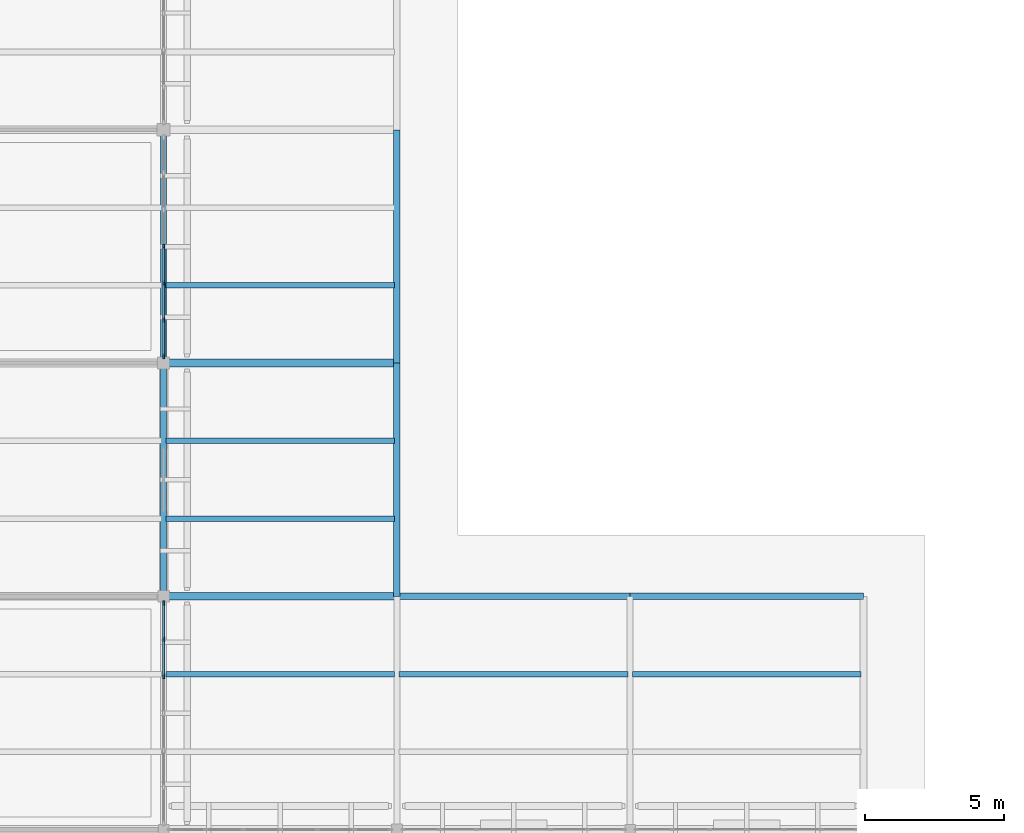
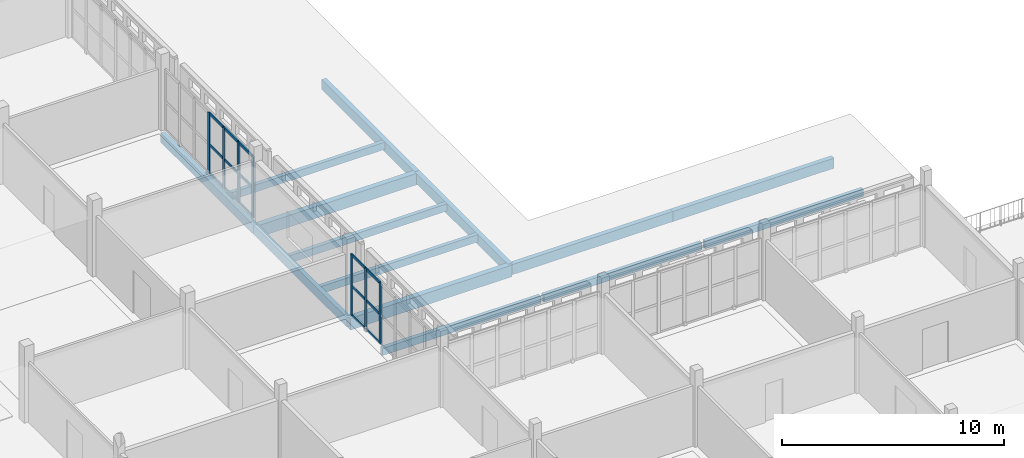
# One storey, part 29 of 166: 22 members, 14 beams, 2 elements without a shape of their own.
"""IFC4 building model written with IfcOpenShell, lengths in metres."""

from ifc_helpers import new_model, si_unit, direction, frame, origin, origin_2d, place, context, subcontext, project, spatial, rectangle, extrude, material, layer, layer_set, material_profile, profile_set, type_object, element, aggregate, save


model = new_model("IFC4")

# Units and contexts
model_context = context("Model", 3, precision=1e-05, world=origin(), true_north=direction((0.0, 1.0)))
body_context = subcontext(model_context, "Body", "Model", "MODEL_VIEW")
ifc_project = project(units=[si_unit("LENGTHUNIT", "METRE"), si_unit("AREAUNIT", "SQUARE_METRE"), si_unit("VOLUMEUNIT", "CUBIC_METRE"), si_unit("PLANEANGLEUNIT", "RADIAN"), si_unit("MASSUNIT", "GRAM", prefix="KILO")], contexts=[model_context])

# Site, building, storey
site_placement = place(None, origin())
site = spatial("IfcSite", under=ifc_project, at=site_placement, CompositionType="ELEMENT")
building_placement = place(site_placement, origin())
building = spatial("IfcBuilding", under=site, at=building_placement, Name="Varnapada Polytechnic", CompositionType="ELEMENT")
storey_placement = place(building_placement, frame((0.0, 0.0, 9.60009765625)))
storey = spatial("IfcBuildingStorey", under=building, at=storey_placement, Name="L02", CompositionType="ELEMENT", Elevation=9.60009765625)

# Beams
ifc_material_1 = material(Name="Glulam GL32h", Category="wood")
ifc_material_profile_1 = material_profile(ifc_material_1, rectangle(XDim=0.280029296875, YDim=0.639892578125, at=origin_2d()), Name="GL 280x640")
ifc_profile_set_1 = profile_set([ifc_material_profile_1], Name="Glulam GL32h")
beam_type_1 = type_object("IfcBeamType", Name="Laboratory primary glulam girder GG-02 (GL 280x640)", PredefinedType="BEAM", material=ifc_profile_set_1)
for number, where, z_axis, x_axis, name in (
    (1, (33.60009765625, 50.39990234375, -0.590087890625), (1.0, 0.0, 0.0), (0.0, 1.0, 0.0), "L02 beam X 5-6 at Y7"),
    (2, (33.60009765625, 58.800048828125, -0.590087890625), (1.0, 0.0, 0.0), (0.0, 1.0, 0.0), "L02 beam X 5-6 at Y8"),
):
    element("IfcBeam", number, at=place(storey_placement, frame(where, z_axis=z_axis, x_axis=x_axis)), inside=storey, type_object=beam_type_1, Name=name, PredefinedType="BEAM", context=body_context, shape_type="SweptSolid", body=[
        extrude(rectangle(XDim=0.280029296875, YDim=0.639892578125, at=origin_2d()), origin(), (0.0, 0.0, 1.0), 8.39990234375),
    ])
ifc_material_profile_2 = material_profile(ifc_material_1, rectangle(XDim=0.219970703125, YDim=0.52001953125, at=origin_2d()), Name="GL 220x520")
ifc_profile_set_2 = profile_set([ifc_material_profile_2], Name="Glulam GL32h")
beam_type_2 = type_object("IfcBeamType", Name="Laboratory transverse glulam beam GB-12 (GL 220x520)", PredefinedType="BEAM", material=ifc_profile_set_2)
beam_1_placement = place(storey_placement, frame((33.60009765625, 50.39990234375, -0.530029296875), z_axis=(0.0, 1.0, 0.0), x_axis=(-1.0, 0.0, 0.0)))
element("IfcBeam", 3, at=beam_1_placement, inside=storey, type_object=beam_type_2, Name="L02 beam Y 7-8 at X5", PredefinedType="BEAM", context=body_context, shape_type="SweptSolid", body=[
    extrude(rectangle(XDim=0.219970703125, YDim=0.52001953125, at=origin_2d()), origin(), (0.0, 0.0, 1.0), 8.400146484375),
])
beam_2_placement = place(storey_placement, frame((33.60009765625, 58.800048828125, -0.530029296875), z_axis=(0.0, 1.0, 0.0), x_axis=(-1.0, 0.0, 0.0)))
element("IfcBeam", 4, at=beam_2_placement, inside=storey, type_object=beam_type_2, Name="L02 beam Y 8-9 at X5", PredefinedType="BEAM", context=body_context, shape_type="SweptSolid", body=[
    extrude(rectangle(XDim=0.219970703125, YDim=0.52001953125, at=origin_2d()), origin(), (0.0, 0.0, 1.0), 8.39990234375),
])
ifc_material_profile_3 = material_profile(ifc_material_1, rectangle(XDim=0.199951171875, YDim=0.39990234375, at=origin_2d()), Name="GL 200x400")
ifc_profile_set_3 = profile_set([ifc_material_profile_3], Name="Glulam GL32h")
beam_type_3 = type_object("IfcBeamType", Name="Library/laboratory glulam floor joist GJ-01 (GL 200x400)", PredefinedType="JOIST", material=ifc_profile_set_3)
for number, where, z_axis, x_axis, name in (
    (5, (33.679931640625, 47.60009765625, -0.47021484375), (1.0, 0.0, 0.0), (0.0, 1.0, 0.0), "L02 floor joist 5/6.2"),
    (6, (33.679931640625, 53.199951171875, -0.47021484375), (1.0, 0.0, 0.0), (0.0, 1.0, 0.0), "L02 floor joist 5/7.1"),
    (7, (33.679931640625, 56.0, -0.47021484375), (1.0, 0.0, 0.0), (0.0, 1.0, 0.0), "L02 floor joist 5/7.2"),
    (8, (33.679931640625, 61.60009765625, -0.47021484375), (1.0, 0.0, 0.0), (0.0, 1.0, 0.0), "L02 floor joist 5/8.1"),
    (9, (42.080078125, 47.60009765625, -0.47021484375), (1.0, 0.0, 0.0), (0.0, 1.0, 0.0), "L02 floor joist 6/6.2"),
    (10, (50.47998046875, 47.60009765625, -0.47021484375), (1.0, 0.0, 0.0), (0.0, 1.0, 0.0), "L02 floor joist 7/6.2"),
):
    element("IfcBeam", number, at=place(storey_placement, frame(where, z_axis=z_axis, x_axis=x_axis)), inside=storey, type_object=beam_type_3, Name=name, PredefinedType="JOIST", context=body_context, shape_type="SweptSolid", body=[
        extrude(rectangle(XDim=0.199951171875, YDim=0.39990234375, at=origin_2d()), origin(), (0.0, 0.0, 1.0), 8.239990234375),
    ])

# Curtain wall, members
ifc_material_2 = material(Name="Double low-E laminated glass", Category="glass")
ifc_layer = layer(ifc_material_2, 0.179931640625)
ifc_layer_set = layer_set([ifc_layer], Name="Double low-E laminated glass")
curtain_wall_type = type_object("IfcCurtainWallType", Name="Curtain Wall CW-03", PredefinedType="NOTDEFINED", material=ifc_layer_set)
curtain_wall_1_placement = place(storey_placement, origin())
curtain_wall_1 = element("IfcCurtainWall", 11, at=curtain_wall_1_placement, inside=storey, type_object=curtain_wall_type, Name="L02 unitised curtain wall CW-03 (143)", PredefinedType="NOTDEFINED")
ifc_material_3 = material(Name="Anodised aluminium", Category="aluminium")
ifc_material_profile_4 = material_profile(ifc_material_3, rectangle(XDim=0.06494140625, YDim=0.179931640625, at=origin_2d()), Name="ALU M65x180")
ifc_profile_set_4 = profile_set([ifc_material_profile_4], Name="Anodised aluminium")
member_type_1 = type_object("IfcMemberType", Name="Mullion M-02", PredefinedType="MULLION", material=ifc_profile_set_4)
member_1_placement = place(storey_placement, frame((33.60009765625, 50.157470703125, 0.0), z_axis=(0.0, 0.0, 1.0), x_axis=(1.0, 0.0, 0.0)))
member_1 = element("IfcMember", 12, at=member_1_placement, type_object=member_type_1, Name="CW-03 mullion 1", PredefinedType="MULLION", context=body_context, shape_type="SweptSolid", body=[
    extrude(rectangle(XDim=0.06494140625, YDim=0.179931640625, at=origin_2d()), origin(), (0.0, 0.0, 1.0), 3.35986328125),
])
member_2_placement = place(storey_placement, frame((33.60009765625, 48.856689453125, 0.0), z_axis=(0.0, 0.0, 1.0), x_axis=(1.0, 0.0, 0.0)))
member_2 = element("IfcMember", 13, at=member_2_placement, type_object=member_type_1, Name="CW-03 mullion 2", PredefinedType="MULLION", context=body_context, shape_type="SweptSolid", body=[
    extrude(rectangle(XDim=0.06494140625, YDim=0.179931640625, at=origin_2d()), origin(), (0.0, 0.0, 1.0), 3.35986328125),
])
member_3_placement = place(storey_placement, frame((33.60009765625, 47.5234375, 0.0), z_axis=(0.0, 0.0, 1.0), x_axis=(1.0, 0.0, 0.0)))
member_3 = element("IfcMember", 14, at=member_3_placement, type_object=member_type_1, Name="CW-03 mullion 3", PredefinedType="MULLION", context=body_context, shape_type="SweptSolid", body=[
    extrude(rectangle(XDim=0.06494140625, YDim=0.179931640625, at=origin_2d()), origin(), (0.0, 0.0, 1.0), 3.35986328125),
])

curtain_wall_2_placement = place(storey_placement, origin())
curtain_wall_2 = element("IfcCurtainWall", 15, at=curtain_wall_2_placement, inside=storey, type_object=curtain_wall_type, Name="L02 unitised curtain wall CW-03 (144)", PredefinedType="NOTDEFINED")
member_4_placement = place(storey_placement, frame((33.60009765625, 62.9951171875, 0.0), z_axis=(0.0, 0.0, 1.0), x_axis=(1.0, 0.0, 0.0)))
member_4 = element("IfcMember", 16, at=member_4_placement, type_object=member_type_1, Name="CW-03 mullion 4", PredefinedType="MULLION", context=body_context, shape_type="SweptSolid", body=[
    extrude(rectangle(XDim=0.06494140625, YDim=0.179931640625, at=origin_2d()), origin(), (0.0, 0.0, 1.0), 3.35986328125),
])
member_5_placement = place(storey_placement, frame((33.60009765625, 61.669921875, 0.0), z_axis=(0.0, 0.0, 1.0), x_axis=(1.0, 0.0, 0.0)))
member_5 = element("IfcMember", 17, at=member_5_placement, type_object=member_type_1, Name="CW-03 mullion 5", PredefinedType="MULLION", context=body_context, shape_type="SweptSolid", body=[
    extrude(rectangle(XDim=0.06494140625, YDim=0.179931640625, at=origin_2d()), origin(), (0.0, 0.0, 1.0), 3.35986328125),
])
member_6_placement = place(storey_placement, frame((33.60009765625, 60.344970703125, 0.0), z_axis=(0.0, 0.0, 1.0), x_axis=(1.0, 0.0, 0.0)))
member_6 = element("IfcMember", 18, at=member_6_placement, type_object=member_type_1, Name="CW-03 mullion 6", PredefinedType="MULLION", context=body_context, shape_type="SweptSolid", body=[
    extrude(rectangle(XDim=0.06494140625, YDim=0.179931640625, at=origin_2d()), origin(), (0.0, 0.0, 1.0), 3.35986328125),
])
member_7_placement = place(storey_placement, frame((33.60009765625, 59.052490234375, 0.0), z_axis=(0.0, 0.0, 1.0), x_axis=(1.0, 0.0, 0.0)))
member_7 = element("IfcMember", 19, at=member_7_placement, type_object=member_type_1, Name="CW-03 mullion 7", PredefinedType="MULLION", context=body_context, shape_type="SweptSolid", body=[
    extrude(rectangle(XDim=0.06494140625, YDim=0.179931640625, at=origin_2d()), origin(), (0.0, 0.0, 1.0), 3.35986328125),
])

# Beams
ifc_material_profile_5 = material_profile(ifc_material_1, rectangle(XDim=0.239990234375, YDim=0.56005859375, at=origin_2d()), Name="GL 240x560")
ifc_profile_set_5 = profile_set([ifc_material_profile_5], Name="Glulam GL32h")
beam_type_4 = type_object("IfcBeamType", Name="Perimeter glulam spandrel beam SP-02 (GL 240x560)", PredefinedType="SPANDREL", material=ifc_profile_set_5)
beam_3_placement = place(storey_placement, frame((42.0, 50.39990234375, -0.550048828125), z_axis=(1.0, 0.0, 0.0), x_axis=(0.0, 1.0, 0.0)))
element("IfcBeam", 20, at=beam_3_placement, inside=storey, type_object=beam_type_4, Name="L02 beam X 6-7 at Y7", PredefinedType="SPANDREL", context=body_context, shape_type="SweptSolid", body=[
    extrude(rectangle(XDim=0.239990234375, YDim=0.56005859375, at=origin_2d()), origin(), (0.0, 0.0, 1.0), 8.39990234375),
])
for number, where, z_axis, x_axis, name in (
    (21, (50.39990234375, 50.39990234375, -0.550048828125), (1.0, 0.0, 0.0), (0.0, 1.0, 0.0), "L02 beam X 7-8 at Y7"),
    (22, (42.0, 50.39990234375, -0.550048828125), (0.0, 1.0, 0.0), (-1.0, 0.0, 0.0), "L02 beam Y 7-8 at X6"),
):
    element("IfcBeam", number, at=place(storey_placement, frame(where, z_axis=z_axis, x_axis=x_axis)), inside=storey, type_object=beam_type_4, Name=name, PredefinedType="SPANDREL", context=body_context, shape_type="SweptSolid", body=[
        extrude(rectangle(XDim=0.239990234375, YDim=0.56005859375, at=origin_2d()), origin(), (0.0, 0.0, 1.0), 8.400146484375),
    ])
beam_4_placement = place(storey_placement, frame((42.0, 58.800048828125, -0.550048828125), z_axis=(0.0, 1.0, 0.0), x_axis=(-1.0, 0.0, 0.0)))
element("IfcBeam", 23, at=beam_4_placement, inside=storey, type_object=beam_type_4, Name="L02 beam Y 8-9 at X6", PredefinedType="SPANDREL", context=body_context, shape_type="SweptSolid", body=[
    extrude(rectangle(XDim=0.239990234375, YDim=0.56005859375, at=origin_2d()), origin(), (0.0, 0.0, 1.0), 8.39990234375),
])

# Member
ifc_material_profile_6 = material_profile(ifc_material_3, rectangle(XDim=0.06494140625, YDim=0.139892578125, at=origin_2d()), Name="ALU T65x140")
ifc_profile_set_6 = profile_set([ifc_material_profile_6], Name="Anodised aluminium")
member_type_2 = type_object("IfcMemberType", Name="Transom T-02", PredefinedType="USERDEFINED", material=ifc_profile_set_6)
member_8_placement = place(storey_placement, frame((33.60009765625, 50.125, 0.032470703125), z_axis=(0.0, -1.0, 0.0), x_axis=(1.0, 0.0, 0.0)))
member_8 = element("IfcMember", 24, at=member_8_placement, type_object=member_type_2, Name="CW-03 transom 1.1", ObjectType="TRANSOM", PredefinedType="USERDEFINED", context=body_context, shape_type="SweptSolid", body=[
    extrude(rectangle(XDim=0.06494140625, YDim=0.139892578125, at=origin_2d()), origin(), (0.0, 0.0, 1.0), 1.23583984375),
])

member_9_placement = place(storey_placement, frame((33.60009765625, 50.125, 1.61279296875), z_axis=(0.0, -1.0, 0.0), x_axis=(1.0, 0.0, 0.0)))
member_9 = element("IfcMember", 25, at=member_9_placement, type_object=member_type_2, Name="CW-03 transom 1.2", ObjectType="TRANSOM", PredefinedType="USERDEFINED", context=body_context, shape_type="SweptSolid", body=[
    extrude(rectangle(XDim=0.06494140625, YDim=0.139892578125, at=origin_2d()), origin(), (0.0, 0.0, 1.0), 1.23583984375),
])

member_10_placement = place(storey_placement, frame((33.60009765625, 50.125, 3.327392578125), z_axis=(0.0, -1.0, 0.0), x_axis=(1.0, 0.0, 0.0)))
member_10 = element("IfcMember", 26, at=member_10_placement, type_object=member_type_2, Name="CW-03 transom 1.3", ObjectType="TRANSOM", PredefinedType="USERDEFINED", context=body_context, shape_type="SweptSolid", body=[
    extrude(rectangle(XDim=0.06494140625, YDim=0.139892578125, at=origin_2d()), origin(), (0.0, 0.0, 1.0), 1.23583984375),
])

member_11_placement = place(storey_placement, frame((33.60009765625, 48.82421875, 0.032470703125), z_axis=(0.0, -1.0, 0.0), x_axis=(1.0, 0.0, 0.0)))
member_11 = element("IfcMember", 27, at=member_11_placement, type_object=member_type_2, Name="CW-03 transom 2.1", ObjectType="TRANSOM", PredefinedType="USERDEFINED", context=body_context, shape_type="SweptSolid", body=[
    extrude(rectangle(XDim=0.06494140625, YDim=0.139892578125, at=origin_2d()), origin(), (0.0, 0.0, 1.0), 1.268310546875),
])

member_12_placement = place(storey_placement, frame((33.60009765625, 48.82421875, 1.61279296875), z_axis=(0.0, -1.0, 0.0), x_axis=(1.0, 0.0, 0.0)))
member_12 = element("IfcMember", 28, at=member_12_placement, type_object=member_type_2, Name="CW-03 transom 2.2", ObjectType="TRANSOM", PredefinedType="USERDEFINED", context=body_context, shape_type="SweptSolid", body=[
    extrude(rectangle(XDim=0.06494140625, YDim=0.139892578125, at=origin_2d()), origin(), (0.0, 0.0, 1.0), 1.268310546875),
])

member_13_placement = place(storey_placement, frame((33.60009765625, 48.82421875, 3.327392578125), z_axis=(0.0, -1.0, 0.0), x_axis=(1.0, 0.0, 0.0)))
member_13 = element("IfcMember", 29, at=member_13_placement, type_object=member_type_2, Name="CW-03 transom 2.3", ObjectType="TRANSOM", PredefinedType="USERDEFINED", context=body_context, shape_type="SweptSolid", body=[
    extrude(rectangle(XDim=0.06494140625, YDim=0.139892578125, at=origin_2d()), origin(), (0.0, 0.0, 1.0), 1.268310546875),
])

aggregate(curtain_wall_1, [member_1, member_2, member_3, member_8, member_9, member_10, member_11, member_12, member_13])

member_14_placement = place(storey_placement, frame((33.60009765625, 62.96240234375, 0.032470703125), z_axis=(0.0, -1.0, 0.0), x_axis=(1.0, 0.0, 0.0)))
member_14 = element("IfcMember", 30, at=member_14_placement, type_object=member_type_2, Name="CW-03 transom 4.1", ObjectType="TRANSOM", PredefinedType="USERDEFINED", context=body_context, shape_type="SweptSolid", body=[
    extrude(rectangle(XDim=0.06494140625, YDim=0.139892578125, at=origin_2d()), origin(), (0.0, 0.0, 1.0), 1.260009765625),
])

member_15_placement = place(storey_placement, frame((33.60009765625, 62.96240234375, 1.61279296875), z_axis=(0.0, -1.0, 0.0), x_axis=(1.0, 0.0, 0.0)))
member_15 = element("IfcMember", 31, at=member_15_placement, type_object=member_type_2, Name="CW-03 transom 4.2", ObjectType="TRANSOM", PredefinedType="USERDEFINED", context=body_context, shape_type="SweptSolid", body=[
    extrude(rectangle(XDim=0.06494140625, YDim=0.139892578125, at=origin_2d()), origin(), (0.0, 0.0, 1.0), 1.260009765625),
])

member_16_placement = place(storey_placement, frame((33.60009765625, 62.96240234375, 3.327392578125), z_axis=(0.0, -1.0, 0.0), x_axis=(1.0, 0.0, 0.0)))
member_16 = element("IfcMember", 32, at=member_16_placement, type_object=member_type_2, Name="CW-03 transom 4.3", ObjectType="TRANSOM", PredefinedType="USERDEFINED", context=body_context, shape_type="SweptSolid", body=[
    extrude(rectangle(XDim=0.06494140625, YDim=0.139892578125, at=origin_2d()), origin(), (0.0, 0.0, 1.0), 1.260009765625),
])

member_17_placement = place(storey_placement, frame((33.60009765625, 61.637451171875, 0.032470703125), z_axis=(0.0, -1.0, 0.0), x_axis=(1.0, 0.0, 0.0)))
member_17 = element("IfcMember", 33, at=member_17_placement, type_object=member_type_2, Name="CW-03 transom 5.1", ObjectType="TRANSOM", PredefinedType="USERDEFINED", context=body_context, shape_type="SweptSolid", body=[
    extrude(rectangle(XDim=0.06494140625, YDim=0.139892578125, at=origin_2d()), origin(), (0.0, 0.0, 1.0), 1.260009765625),
])

member_18_placement = place(storey_placement, frame((33.60009765625, 61.637451171875, 1.61279296875), z_axis=(0.0, -1.0, 0.0), x_axis=(1.0, 0.0, 0.0)))
member_18 = element("IfcMember", 34, at=member_18_placement, type_object=member_type_2, Name="CW-03 transom 5.2", ObjectType="TRANSOM", PredefinedType="USERDEFINED", context=body_context, shape_type="SweptSolid", body=[
    extrude(rectangle(XDim=0.06494140625, YDim=0.139892578125, at=origin_2d()), origin(), (0.0, 0.0, 1.0), 1.260009765625),
])

member_19_placement = place(storey_placement, frame((33.60009765625, 61.637451171875, 3.327392578125), z_axis=(0.0, -1.0, 0.0), x_axis=(1.0, 0.0, 0.0)))
member_19 = element("IfcMember", 35, at=member_19_placement, type_object=member_type_2, Name="CW-03 transom 5.3", ObjectType="TRANSOM", PredefinedType="USERDEFINED", context=body_context, shape_type="SweptSolid", body=[
    extrude(rectangle(XDim=0.06494140625, YDim=0.139892578125, at=origin_2d()), origin(), (0.0, 0.0, 1.0), 1.260009765625),
])

member_20_placement = place(storey_placement, frame((33.60009765625, 60.3125, 0.032470703125), z_axis=(0.0, -1.0, 0.0), x_axis=(1.0, 0.0, 0.0)))
member_20 = element("IfcMember", 36, at=member_20_placement, type_object=member_type_2, Name="CW-03 transom 6.1", ObjectType="TRANSOM", PredefinedType="USERDEFINED", context=body_context, shape_type="SweptSolid", body=[
    extrude(rectangle(XDim=0.06494140625, YDim=0.139892578125, at=origin_2d()), origin(), (0.0, 0.0, 1.0), 1.2275390625),
])

member_21_placement = place(storey_placement, frame((33.60009765625, 60.3125, 1.61279296875), z_axis=(0.0, -1.0, 0.0), x_axis=(1.0, 0.0, 0.0)))
member_21 = element("IfcMember", 37, at=member_21_placement, type_object=member_type_2, Name="CW-03 transom 6.2", ObjectType="TRANSOM", PredefinedType="USERDEFINED", context=body_context, shape_type="SweptSolid", body=[
    extrude(rectangle(XDim=0.06494140625, YDim=0.139892578125, at=origin_2d()), origin(), (0.0, 0.0, 1.0), 1.2275390625),
])

member_22_placement = place(storey_placement, frame((33.60009765625, 60.3125, 3.327392578125), z_axis=(0.0, -1.0, 0.0), x_axis=(1.0, 0.0, 0.0)))
member_22 = element("IfcMember", 38, at=member_22_placement, type_object=member_type_2, Name="CW-03 transom 6.3", ObjectType="TRANSOM", PredefinedType="USERDEFINED", context=body_context, shape_type="SweptSolid", body=[
    extrude(rectangle(XDim=0.06494140625, YDim=0.139892578125, at=origin_2d()), origin(), (0.0, 0.0, 1.0), 1.2275390625),
])

aggregate(curtain_wall_2, [member_4, member_5, member_6, member_7, member_14, member_15, member_16, member_17, member_18, member_19, member_20, member_21, member_22])

save(model, "model.ifc")
